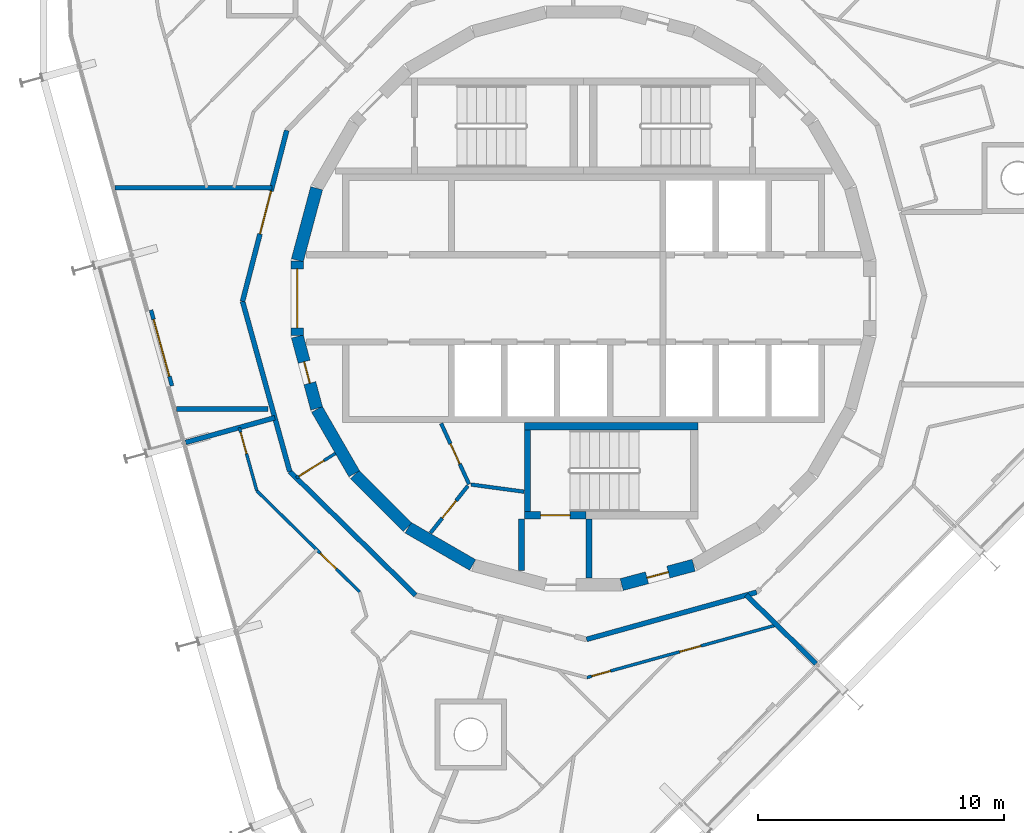
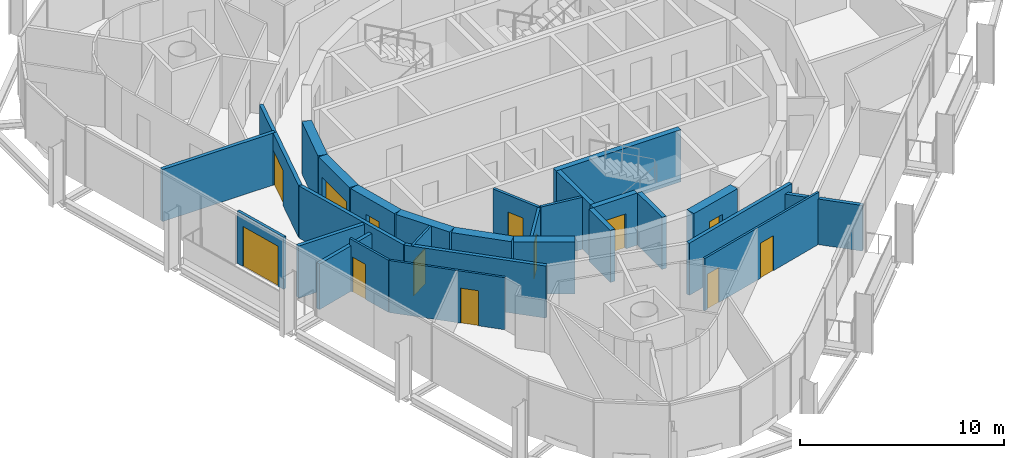
# One storey, part 10 of 15: 28 walls, 13 doors, 13 openings.
"""IFC4 building model written with IfcOpenShell, lengths in metres."""

from ifc_helpers import new_model, si_unit, direction, frame, frame_2d, origin, place, context, subcontext, project, spatial, rectangle, extrude, material, layer, layer_set, type_object, element, fill, save


model = new_model("IFC4")

# Units and contexts
model_context = context("Model", 3, precision=1e-05, world=origin(), true_north=direction((0.0, 1.0)))
body_context = subcontext(model_context, "Body", "Model", "MODEL_VIEW")
ifc_project = project(units=[si_unit("LENGTHUNIT", "METRE"), si_unit("AREAUNIT", "SQUARE_METRE"), si_unit("VOLUMEUNIT", "CUBIC_METRE"), si_unit("PLANEANGLEUNIT", "RADIAN"), si_unit("MASSUNIT", "GRAM", prefix="KILO")], contexts=[model_context])

# Site, building, storey
site_placement = place(None, origin())
site = spatial("IfcSite", under=ifc_project, at=site_placement, CompositionType="ELEMENT")
building_placement = place(site_placement, origin())
building = spatial("IfcBuilding", under=site, at=building_placement, Name="Spindle Arch Residences", CompositionType="ELEMENT")
storey_placement = place(building_placement, frame((0.0, 0.0, 319.199951171875)))
storey = spatial("IfcBuildingStorey", under=building, at=storey_placement, Name="L82", CompositionType="ELEMENT", Elevation=319.199951171875)

# Wall, opening, door
ifc_material_1 = material(Name="Concrete C50/60", Category="concrete")
ifc_layer_1 = layer(ifc_material_1, 0.5)
ifc_layer_set_1 = layer_set([ifc_layer_1], Name="Core outline wall 500")
wall_type_1 = type_object("IfcWallType", Name="Core outline wall 500", PredefinedType="SHEAR", material=ifc_layer_set_1)
wall_1_placement = place(storey_placement, frame((1.5498046875, -11.642822265625, 0.0), z_axis=(0.0, 0.0, 1.0), x_axis=(0.965948410781, 0.258734743916, 0.0)))
wall_1 = element("IfcWall", 1, at=wall_1_placement, inside=storey, type_object=wall_type_1, Name="Core outline wall 1", PredefinedType="SHEAR", context=body_context, shape_type="SweptSolid", body=[
    extrude(rectangle(XDim=3.03271484375, YDim=0.5, at=frame_2d((1.516357421875, 0.0))), origin(), (0.0, 0.0, 1.0), 3.1201171875),
])
opening_1_placement = place(wall_1_placement, frame((1.06640625, 0.0, 0.0)))
opening_1 = element("IfcOpeningElement", 2, at=opening_1_placement, cuts=wall_1, Name="Opening R8C0-WD09", PredefinedType="OPENING", context=body_context, shape_type="SweptSolid", body=[
    extrude(rectangle(XDim=0.89990234375, YDim=2.10009765625, at=frame_2d((0.449951171875, 1.050048828125))), frame((0.0, 0.260009765625, 0.0), z_axis=(0.0, -1.0, 0.0), x_axis=(1.0, 0.0, 0.0)), (0.0, 0.0, 1.0), 0.52001953125),
])
ifc_material_2 = material(Name="Steel, fire-resisting door", Category="steel")
door_type_1 = type_object("IfcDoorType", Name="Service room door 900x2100", OperationType="SINGLE_SWING_LEFT", PredefinedType="DOOR", material=ifc_material_2)
door_1_placement = place(opening_1_placement, origin())
door_1 = element("IfcDoor", 3, at=door_1_placement, inside=storey, type_object=door_type_1, Name="Service room door R8C0-WD09", OperationType="SINGLE_SWING_LEFT", OverallHeight=2.10009765625, OverallWidth=0.89990234375, PredefinedType="DOOR", context=body_context, shape_type="SweptSolid", body=[
    extrude(rectangle(XDim=0.89990234375, YDim=2.10009765625, at=frame_2d((0.449951171875, 1.050048828125))), frame((0.0, 0.02490234375, 0.0), z_axis=(0.0, -1.0, 0.0), x_axis=(1.0, 0.0, 0.0)), (0.0, 0.0, 1.0), 0.050048828125),
])
fill(opening_1, door_1)

# Wall
wall_2_placement = place(storey_placement, frame((-10.858154296875, 4.479248046875, 0.0), z_axis=(0.0, 0.0, 1.0), x_axis=(-0.258734743916, -0.965948410781, 0.0)))
element("IfcWall", 4, at=wall_2_placement, inside=storey, type_object=wall_type_1, Name="Core outline wall 17", PredefinedType="SHEAR", context=body_context, shape_type="SweptSolid", body=[
    extrude(rectangle(XDim=3.03271484375, YDim=0.5, at=frame_2d((1.516357421875, 0.0))), origin(), (0.0, 0.0, 1.0), 3.1201171875),
])

# Wall, opening, door
wall_3_placement = place(storey_placement, frame((-11.647216796875, 1.516357421875, 0.0), z_axis=(0.0, 0.0, 1.0), x_axis=(0.0, -1.0, 0.0)))
wall_3 = element("IfcWall", 5, at=wall_3_placement, inside=storey, type_object=wall_type_1, Name="Core outline wall 18", PredefinedType="SHEAR", context=body_context, shape_type="SweptSolid", body=[
    extrude(rectangle(XDim=3.03271484375, YDim=0.5, at=frame_2d((1.516357421875, 0.0))), origin(), (0.0, 0.0, 1.0), 3.1201171875),
])
opening_2_placement = place(wall_3_placement, frame((0.31640625, 0.0, 0.0)))
opening_2 = element("IfcOpeningElement", 6, at=opening_2_placement, cuts=wall_3, Name="Opening R8C0-LE01", PredefinedType="OPENING", context=body_context, shape_type="SweptSolid", body=[
    extrude(rectangle(XDim=2.39990234375, YDim=2.10009765625, at=frame_2d((1.199951171875, 1.050048828125))), frame((0.0, 0.260009765625, 0.0), z_axis=(0.0, -1.0, 0.0), x_axis=(1.0, 0.0, 0.0)), (0.0, 0.0, 1.0), 0.52001953125),
])
ifc_material_3 = material(Name="Steel, fire-resisting door", Category="steel")
door_type_2 = type_object("IfcDoorType", Name="Lift lobby entrance door 2400x2100", OperationType="DOUBLE_DOOR_SINGLE_SWING", PredefinedType="DOOR", material=ifc_material_3)
door_2_placement = place(opening_2_placement, origin())
door_2 = element("IfcDoor", 7, at=door_2_placement, inside=storey, type_object=door_type_2, Name="Lift lobby entrance door R8C0-LE01", OperationType="DOUBLE_DOOR_SINGLE_SWING", OverallHeight=2.10009765625, OverallWidth=2.39990234375, PredefinedType="DOOR", context=body_context, shape_type="SweptSolid", body=[
    extrude(rectangle(XDim=2.39990234375, YDim=2.10009765625, at=frame_2d((1.199951171875, 1.050048828125))), frame((0.0, 0.02490234375, 0.0), z_axis=(0.0, -1.0, 0.0), x_axis=(1.0, 0.0, 0.0)), (0.0, 0.0, 1.0), 0.050048828125),
])
fill(opening_2, door_2)

wall_4_placement = place(storey_placement, frame((-11.642822265625, -1.5498046875, 0.0), z_axis=(0.0, 0.0, 1.0), x_axis=(0.258734743916, -0.965948410781, 0.0)))
wall_4 = element("IfcWall", 8, at=wall_4_placement, inside=storey, type_object=wall_type_1, Name="Core outline wall 19", PredefinedType="SHEAR", context=body_context, shape_type="SweptSolid", body=[
    extrude(rectangle(XDim=3.03271484375, YDim=0.5, at=frame_2d((1.516357421875, 0.0))), origin(), (0.0, 0.0, 1.0), 3.1201171875),
])
opening_3_placement = place(wall_4_placement, frame((1.06640625, 0.0, 0.0)))
opening_3 = element("IfcOpeningElement", 9, at=opening_3_placement, cuts=wall_4, Name="Opening R8C0-WD10", PredefinedType="OPENING", context=body_context, shape_type="SweptSolid", body=[
    extrude(rectangle(XDim=0.89990234375, YDim=2.10009765625, at=frame_2d((0.449951171875, 1.050048828125))), frame((0.0, 0.260009765625, 0.0), z_axis=(0.0, -1.0, 0.0), x_axis=(1.0, 0.0, 0.0)), (0.0, 0.0, 1.0), 0.52001953125),
])
door_3_placement = place(opening_3_placement, origin())
door_3 = element("IfcDoor", 10, at=door_3_placement, inside=storey, type_object=door_type_1, Name="Service room door R8C0-WD10", OperationType="SINGLE_SWING_RIGHT", OverallHeight=2.10009765625, OverallWidth=0.89990234375, PredefinedType="DOOR", context=body_context, shape_type="SweptSolid", body=[
    extrude(rectangle(XDim=0.89990234375, YDim=2.10009765625, at=frame_2d((0.449951171875, 1.050048828125))), frame((0.0, 0.02490234375, 0.0), z_axis=(0.0, -1.0, 0.0), x_axis=(1.0, 0.0, 0.0)), (0.0, 0.0, 1.0), 0.050048828125),
])
fill(opening_3, door_3)

# Walls
wall_5_placement = place(storey_placement, frame((-10.84521484375, -4.510498046875, 0.0), z_axis=(0.0, 0.0, 1.0), x_axis=(0.500087131594, -0.865975092491, 0.0)))
element("IfcWall", 11, at=wall_5_placement, inside=storey, type_object=wall_type_1, Name="Core outline wall 20", PredefinedType="SHEAR", context=body_context, shape_type="SweptSolid", body=[
    extrude(rectangle(XDim=3.03271484375, YDim=0.5, at=frame_2d((1.516357421875, 0.0))), origin(), (0.0, 0.0, 1.0), 3.1201171875),
])
wall_6_placement = place(storey_placement, frame((-9.30810546875, -7.163818359375, 0.0), z_axis=(0.0, 0.0, 1.0), x_axis=(0.707106781187, -0.707106781187, 0.0)))
element("IfcWall", 12, at=wall_6_placement, inside=storey, type_object=wall_type_1, Name="Core outline wall 21", PredefinedType="SHEAR", context=body_context, shape_type="SweptSolid", body=[
    extrude(rectangle(XDim=3.032470703125, YDim=0.5, at=frame_2d((1.51611328125, 0.0))), origin(), (0.0, 0.0, 1.0), 3.1201171875),
])
wall_7_placement = place(storey_placement, frame((-7.13671875, -9.32861328125, 0.0), z_axis=(0.0, 0.0, 1.0), x_axis=(0.865975092491, -0.500087131594, 0.0)))
element("IfcWall", 13, at=wall_7_placement, inside=storey, type_object=wall_type_1, Name="Core outline wall 22", PredefinedType="SHEAR", context=body_context, shape_type="SweptSolid", body=[
    extrude(rectangle(XDim=3.03271484375, YDim=0.5, at=frame_2d((1.516357421875, 0.0))), origin(), (0.0, 0.0, 1.0), 3.1201171875),
])

# Wall, opening, door
ifc_material_4 = material(Name="Plasterboard on steel studs", Category="steel")
ifc_layer_2 = layer(ifc_material_4, 0.1201171875)
ifc_layer_set_2 = layer_set([ifc_layer_2], Name="Corridor division wall 120")
wall_type_2 = type_object("IfcWallType", Name="Corridor division wall 120", PredefinedType="PARTITIONING", material=ifc_layer_set_2)
wall_8_placement = place(storey_placement, frame((-11.686767578125, -7.302734375, 0.0), z_axis=(0.0, 0.0, 1.0), x_axis=(0.848064094072, 0.529893661357, 0.0)))
wall_8 = element("IfcWall", 14, at=wall_8_placement, inside=storey, type_object=wall_type_2, Name="Corridor division wall R8C0-W003", PredefinedType="PARTITIONING", context=body_context, shape_type="SweptSolid", body=[
    extrude(rectangle(XDim=1.876220703125, YDim=0.1201171875, at=frame_2d((0.93798828125, 0.0))), origin(), (0.0, 0.0, 1.0), 3.1201171875),
])
opening_4_placement = place(wall_8_placement, frame((0.125, 0.0, 0.0)))
opening_4 = element("IfcOpeningElement", 15, at=opening_4_placement, cuts=wall_8, Name="Opening R8C0-CD03", PredefinedType="OPENING", context=body_context, shape_type="SweptSolid", body=[
    extrude(rectangle(XDim=1.199951171875, YDim=2.10009765625, at=frame_2d((0.60009765625, 1.050048828125))), frame((0.0, 0.070068359375, 0.0), z_axis=(0.0, -1.0, 0.0), x_axis=(1.0, 0.0, 0.0)), (0.0, 0.0, 1.0), 0.14013671875),
])
ifc_material_5 = material(Name="Steel, fire-resisting door", Category="steel")
door_type_3 = type_object("IfcDoorType", Name="Corridor division door 1200x2100", OperationType="NOTDEFINED", PredefinedType="DOOR", material=ifc_material_5)
door_4_placement = place(opening_4_placement, origin())
door_4 = element("IfcDoor", 16, at=door_4_placement, inside=storey, type_object=door_type_3, Name="Corridor division door R8C0-CD03", OperationType="DOUBLE_DOOR_SINGLE_SWING", OverallHeight=2.10009765625, OverallWidth=1.199951171875, PredefinedType="DOOR", context=body_context, shape_type="SweptSolid", body=[
    extrude(rectangle(XDim=1.199951171875, YDim=2.10009765625, at=frame_2d((0.60009765625, 1.050048828125))), frame((0.0, 0.02490234375, 0.0), z_axis=(0.0, -1.0, 0.0), x_axis=(1.0, 0.0, 0.0)), (0.0, 0.0, 1.0), 0.050048828125),
])
fill(opening_4, door_4)

# Walls
ifc_material_6 = material(Name="Calcium silicate block, plastered")
ifc_layer_3 = layer(ifc_material_6, 0.199951171875)
ifc_layer_set_3 = layer_set([ifc_layer_3], Name="Corridor wall 200")
wall_type_3 = type_object("IfcWallType", Name="Corridor wall 200", PredefinedType="STANDARD", material=ifc_layer_set_3)
wall_9_placement = place(storey_placement, frame((-11.953125, -7.041015625, 0.0), z_axis=(0.0, 0.0, 1.0), x_axis=(0.713250549143, -0.70090916255, 0.0)))
element("IfcWall", 17, at=wall_9_placement, inside=storey, type_object=wall_type_3, Name="Corridor wall R8C0-W013", PredefinedType="STANDARD", context=body_context, shape_type="SweptSolid", body=[
    extrude(rectangle(XDim=7.180908203125, YDim=0.199951171875, at=frame_2d((3.59033203125, 0.0))), origin(), (0.0, 0.0, 1.0), 3.1201171875),
])
wall_10_placement = place(storey_placement, frame((0.12109375, -13.872314453125, 0.0), z_axis=(0.0, 0.0, 1.0), x_axis=(0.963625960674, 0.267254575108, 0.0)))
element("IfcWall", 18, at=wall_10_placement, inside=storey, type_object=wall_type_3, Name="Corridor wall R8C0-W015", PredefinedType="STANDARD", context=body_context, shape_type="SweptSolid", body=[
    extrude(rectangle(XDim=7.18115234375, YDim=0.199951171875, at=frame_2d((3.590576171875, 0.0))), origin(), (0.0, 0.0, 1.0), 3.1201171875),
])

# Wall, opening, door
ifc_material_7 = material(Name="Plasterboard on steel studs", Category="steel")
ifc_layer_4 = layer(ifc_material_7, 0.1201171875)
ifc_layer_set_4 = layer_set([ifc_layer_4], Name="Flat partition 120")
wall_type_4 = type_object("IfcWallType", Name="Flat partition 120", PredefinedType="PARTITIONING", material=ifc_layer_set_4)
wall_11_placement = place(storey_placement, frame((-14.004638671875, -5.25634765625, 0.0), z_axis=(0.0, 0.0, 1.0), x_axis=(0.267200500487, -0.963640956238, 0.0)))
wall_11 = element("IfcWall", 19, at=wall_11_placement, inside=storey, type_object=wall_type_4, Name="Flat partition R8C0-W067", PredefinedType="PARTITIONING", context=body_context, shape_type="SweptSolid", body=[
    extrude(rectangle(XDim=2.669921875, YDim=0.1201171875, at=frame_2d((1.3349609375, 0.0))), origin(), (0.0, 0.0, 1.0), 3.1201171875),
])
opening_5_placement = place(wall_11_placement, frame((0.199951171875, 0.0, 0.0)))
opening_5 = element("IfcOpeningElement", 20, at=opening_5_placement, cuts=wall_11, Name="Opening R8C0-ID13", PredefinedType="OPENING", context=body_context, shape_type="SweptSolid", body=[
    extrude(rectangle(XDim=0.89990234375, YDim=2.10009765625, at=frame_2d((0.449951171875, 1.050048828125))), frame((0.0, 0.070068359375, 0.0), z_axis=(0.0, -1.0, 0.0), x_axis=(1.0, 0.0, 0.0)), (0.0, 0.0, 1.0), 0.14013671875),
])
ifc_material_8 = material(Name="Timber door set", Category="wood")
door_type_4 = type_object("IfcDoorType", Name="Room door 900x2100", OperationType="NOTDEFINED", PredefinedType="DOOR", material=ifc_material_8)
door_5_placement = place(opening_5_placement, origin())
door_5 = element("IfcDoor", 21, at=door_5_placement, inside=storey, type_object=door_type_4, Name="Room door R8C0-ID13", OperationType="SINGLE_SWING_RIGHT", OverallHeight=2.10009765625, OverallWidth=0.89990234375, PredefinedType="DOOR", context=body_context, shape_type="SweptSolid", body=[
    extrude(rectangle(XDim=0.89990234375, YDim=2.10009765625, at=frame_2d((0.449951171875, 1.050048828125))), frame((0.0, 0.02490234375, 0.0), z_axis=(0.0, -1.0, 0.0), x_axis=(1.0, 0.0, 0.0)), (0.0, 0.0, 1.0), 0.050048828125),
])
fill(opening_5, door_5)

wall_12_placement = place(storey_placement, frame((-13.291259765625, -7.8291015625, 0.0), z_axis=(0.0, 0.0, 1.0), x_axis=(0.713255094589, -0.700904537039, 0.0)))
wall_12 = element("IfcWall", 22, at=wall_12_placement, inside=storey, type_object=wall_type_4, Name="Flat partition R8C0-W068", PredefinedType="PARTITIONING", context=body_context, shape_type="SweptSolid", body=[
    extrude(rectangle(XDim=5.870849609375, YDim=0.1201171875, at=frame_2d((2.935546875, 0.0))), origin(), (0.0, 0.0, 1.0), 3.1201171875),
])
opening_6_placement = place(wall_12_placement, frame((3.62744140625, 0.0, 0.0)))
opening_6 = element("IfcOpeningElement", 23, at=opening_6_placement, cuts=wall_12, Name="Opening R8C0-ID14", PredefinedType="OPENING", context=body_context, shape_type="SweptSolid", body=[
    extrude(rectangle(XDim=0.89990234375, YDim=2.10009765625, at=frame_2d((0.449951171875, 1.050048828125))), frame((0.0, 0.070068359375, 0.0), z_axis=(0.0, -1.0, 0.0), x_axis=(1.0, 0.0, 0.0)), (0.0, 0.0, 1.0), 0.14013671875),
])
door_6_placement = place(opening_6_placement, origin())
door_6 = element("IfcDoor", 24, at=door_6_placement, inside=storey, type_object=door_type_4, Name="Room door R8C0-ID14", OperationType="SINGLE_SWING_RIGHT", OverallHeight=2.10009765625, OverallWidth=0.89990234375, PredefinedType="DOOR", context=body_context, shape_type="SweptSolid", body=[
    extrude(rectangle(XDim=0.89990234375, YDim=2.10009765625, at=frame_2d((0.449951171875, 1.050048828125))), frame((0.0, 0.02490234375, 0.0), z_axis=(0.0, -1.0, 0.0), x_axis=(1.0, 0.0, 0.0)), (0.0, 0.0, 1.0), 0.050048828125),
])
fill(opening_6, door_6)

# Wall, openings, doors
wall_13_placement = place(storey_placement, frame((0.134521484375, -15.425048828125, 0.0), z_axis=(0.0, 0.0, 1.0), x_axis=(0.963633899075, 0.267225950373, 0.0)))
wall_13 = element("IfcWall", 25, at=wall_13_placement, inside=storey, type_object=wall_type_4, Name="Flat partition R8C0-W082", PredefinedType="PARTITIONING", context=body_context, shape_type="SweptSolid", body=[
    extrude(rectangle(XDim=7.98486328125, YDim=0.1201171875, at=frame_2d((3.992431640625, 0.0))), origin(), (0.0, 0.0, 1.0), 3.1201171875),
])
opening_7_placement = place(wall_13_placement, frame((0.199951171875, 0.0, 0.0)))
opening_7 = element("IfcOpeningElement", 26, at=opening_7_placement, cuts=wall_13, Name="Opening R8C0-BD05", PredefinedType="OPENING", context=body_context, shape_type="SweptSolid", body=[
    extrude(rectangle(XDim=0.800048828125, YDim=2.10009765625, at=frame_2d((0.39990234375, 1.050048828125))), frame((0.0, 0.070068359375, 0.0), z_axis=(0.0, -1.0, 0.0), x_axis=(1.0, 0.0, 0.0)), (0.0, 0.0, 1.0), 0.14013671875),
])
opening_8_placement = place(wall_13_placement, frame((3.9140625, 0.0, 0.0)))
opening_8 = element("IfcOpeningElement", 27, at=opening_8_placement, cuts=wall_13, Name="Opening R8C0-ID18", PredefinedType="OPENING", context=body_context, shape_type="SweptSolid", body=[
    extrude(rectangle(XDim=0.89990234375, YDim=2.10009765625, at=frame_2d((0.449951171875, 1.050048828125))), frame((0.0, 0.070068359375, 0.0), z_axis=(0.0, -1.0, 0.0), x_axis=(1.0, 0.0, 0.0)), (0.0, 0.0, 1.0), 0.14013671875),
])
ifc_material_9 = material(Name="Timber door set", Category="wood")
door_type_5 = type_object("IfcDoorType", Name="Bathroom door 800x2100", OperationType="NOTDEFINED", PredefinedType="DOOR", material=ifc_material_9)
door_7_placement = place(opening_7_placement, origin())
door_7 = element("IfcDoor", 28, at=door_7_placement, inside=storey, type_object=door_type_5, Name="Bathroom door R8C0-BD05", OperationType="SINGLE_SWING_LEFT", OverallHeight=2.10009765625, OverallWidth=0.800048828125, PredefinedType="DOOR", context=body_context, shape_type="SweptSolid", body=[
    extrude(rectangle(XDim=0.800048828125, YDim=2.10009765625, at=frame_2d((0.39990234375, 1.050048828125))), frame((0.0, 0.02490234375, 0.0), z_axis=(0.0, -1.0, 0.0), x_axis=(1.0, 0.0, 0.0)), (0.0, 0.0, 1.0), 0.050048828125),
])
fill(opening_7, door_7)
door_8_placement = place(opening_8_placement, origin())
door_8 = element("IfcDoor", 29, at=door_8_placement, inside=storey, type_object=door_type_4, Name="Room door R8C0-ID18", OperationType="SINGLE_SWING_LEFT", OverallHeight=2.10009765625, OverallWidth=0.89990234375, PredefinedType="DOOR", context=body_context, shape_type="SweptSolid", body=[
    extrude(rectangle(XDim=0.89990234375, YDim=2.10009765625, at=frame_2d((0.449951171875, 1.050048828125))), frame((0.0, 0.02490234375, 0.0), z_axis=(0.0, -1.0, 0.0), x_axis=(1.0, 0.0, 0.0)), (0.0, 0.0, 1.0), 0.050048828125),
])
fill(opening_8, door_8)

# Walls
ifc_material_10 = material(Name="Calcium silicate block, plastered")
ifc_layer_5 = layer(ifc_material_10, 0.199951171875)
ifc_layer_set_5 = layer_set([ifc_layer_5], Name="Flat party wall 200 under beam 2730")
wall_type_5 = type_object("IfcWallType", Name="Flat party wall 200 under beam 2730", PredefinedType="STANDARD", material=ifc_layer_set_5)
wall_14_placement = place(storey_placement, frame((-16.18701171875, -5.861572265625, 0.0), z_axis=(0.0, 0.0, 1.0), x_axis=(0.963631166683, 0.267235803358, 0.0)))
element("IfcWall", 30, at=wall_14_placement, inside=storey, type_object=wall_type_5, Name="Flat party wall R8C0-W026", PredefinedType="STANDARD", context=body_context, shape_type="SweptSolid", body=[
    extrude(rectangle(XDim=3.764892578125, YDim=0.199951171875, at=frame_2d((1.88232421875, 0.0))), origin(), (0.0, 0.0, 1.0), 2.72998046875),
])
wall_15_placement = place(storey_placement, frame((9.4619140625, -14.860595703125, 0.0), z_axis=(0.0, 0.0, 1.0), x_axis=(-0.713302018318, 0.700856783276, 0.0)))
element("IfcWall", 31, at=wall_15_placement, inside=storey, type_object=wall_type_5, Name="Flat party wall R8C0-W029", PredefinedType="STANDARD", context=body_context, shape_type="SweptSolid", body=[
    extrude(rectangle(XDim=3.982177734375, YDim=0.199951171875, at=frame_2d((1.9912109375, 0.0))), origin(), (0.0, 0.0, 1.0), 2.72998046875),
])

# Wall, opening, door
ifc_material_11 = material(Name="Non-combustible mineral wool insulated aluminium faced external wall (K0)", Category="aluminium")
ifc_layer_6 = layer(ifc_material_11, 0.159912109375)
ifc_layer_set_6 = layer_set([ifc_layer_6], Name="Insulated external wall panel 160")
wall_type_6 = type_object("IfcWallType", Name="Insulated external wall panel 160", PredefinedType="STANDARD", material=ifc_layer_set_6)
wall_16_placement = place(storey_placement, frame((-17.59765625, -0.47509765625, 0.0), z_axis=(0.0, 0.0, 1.0), x_axis=(0.267266077957, -0.963622770369, 0.0)))
wall_16 = element("IfcWall", 32, at=wall_16_placement, inside=storey, type_object=wall_type_6, Name="External wall L82 bay 13", PredefinedType="STANDARD", context=body_context, shape_type="SweptSolid", body=[
    extrude(rectangle(XDim=3.199951171875, YDim=0.159912109375, at=frame_2d((1.60009765625, 0.0))), origin(), (0.0, 0.0, 1.0), 3.1201171875),
])
opening_9_placement = place(wall_16_placement, frame((0.39990234375, 0.0, 0.0)))
opening_9 = element("IfcOpeningElement", 33, at=opening_9_placement, cuts=wall_16, Name="Opening BD13", PredefinedType="OPENING", context=body_context, shape_type="SweptSolid", body=[
    extrude(rectangle(XDim=2.39990234375, YDim=2.39990234375, at=frame_2d((1.199951171875, 1.199951171875))), frame((0.0, 0.08984375, 0.0), z_axis=(0.0, -1.0, 0.0), x_axis=(1.0, 0.0, 0.0)), (0.0, 0.0, 1.0), 0.179931640625),
])
ifc_material_12 = material(Name="Bronze aluminium frame, tinted double glazing", Category="aluminium")
door_type_6 = type_object("IfcDoorType", Name="Sliding glazed balcony door 2400x2400", OperationType="DOUBLE_DOOR_SLIDING", PredefinedType="DOOR", material=ifc_material_12)
door_9_placement = place(opening_9_placement, origin())
door_9 = element("IfcDoor", 34, at=door_9_placement, inside=storey, type_object=door_type_6, Name="Balcony door BD13", OperationType="DOUBLE_DOOR_SLIDING", OverallHeight=2.39990234375, OverallWidth=2.39990234375, PredefinedType="DOOR", context=body_context, shape_type="SweptSolid", body=[
    extrude(rectangle(XDim=2.39990234375, YDim=2.39990234375, at=frame_2d((1.199951171875, 1.199951171875))), frame((0.0, 0.02490234375, 0.0), z_axis=(0.0, -1.0, 0.0), x_axis=(1.0, 0.0, 0.0)), (0.0, 0.0, 1.0), 0.050048828125),
])
fill(opening_9, door_9)

ifc_material_13 = material(Name="Calcium silicate block, plastered")
ifc_layer_7 = layer(ifc_material_13, 0.199951171875)
ifc_layer_set_7 = layer_set([ifc_layer_7], Name="Lift lobby bay wall 200")
wall_type_7 = type_object("IfcWallType", Name="Lift lobby bay wall 200", PredefinedType="STANDARD", material=ifc_layer_set_7)
wall_17_placement = place(storey_placement, frame((-12.07421875, 6.831298828125, 0.0), z_axis=(0.0, 0.0, 1.0), x_axis=(-0.250391063186, -0.968144780225, 0.0)))
wall_17 = element("IfcWall", 35, at=wall_17_placement, inside=storey, type_object=wall_type_7, Name="Lift lobby bay wall R8C0-W010", PredefinedType="STANDARD", context=body_context, shape_type="SweptSolid", body=[
    extrude(rectangle(XDim=7.18115234375, YDim=0.199951171875, at=frame_2d((3.590576171875, 0.0))), origin(), (0.0, 0.0, 1.0), 3.1201171875),
])
opening_10_placement = place(wall_17_placement, frame((2.5478515625, 0.0, 0.0)))
opening_10 = element("IfcOpeningElement", 36, at=opening_10_placement, cuts=wall_17, Name="Opening R8C0-LB01", PredefinedType="OPENING", context=body_context, shape_type="SweptSolid", body=[
    extrude(rectangle(XDim=1.800048828125, YDim=2.10009765625, at=frame_2d((0.89990234375, 1.050048828125))), frame((0.0, 0.10986328125, 0.0), z_axis=(0.0, -1.0, 0.0), x_axis=(1.0, 0.0, 0.0)), (0.0, 0.0, 1.0), 0.219970703125),
])
ifc_material_14 = material(Name="Steel, fire-resisting door", Category="steel")
door_type_7 = type_object("IfcDoorType", Name="Lift lobby bay door 1800x2100", OperationType="NOTDEFINED", PredefinedType="DOOR", material=ifc_material_14)
door_10_placement = place(opening_10_placement, origin())
door_10 = element("IfcDoor", 37, at=door_10_placement, inside=storey, type_object=door_type_7, Name="Lift lobby bay door R8C0-LB01", OperationType="DOUBLE_DOOR_SINGLE_SWING", OverallHeight=2.10009765625, OverallWidth=1.800048828125, PredefinedType="DOOR", context=body_context, shape_type="SweptSolid", body=[
    extrude(rectangle(XDim=1.800048828125, YDim=2.10009765625, at=frame_2d((0.89990234375, 1.050048828125))), frame((0.0, 0.02490234375, 0.0), z_axis=(0.0, -1.0, 0.0), x_axis=(1.0, 0.0, 0.0)), (0.0, 0.0, 1.0), 0.050048828125),
])
fill(opening_10, door_10)

# Walls
wall_18_placement = place(storey_placement, frame((-13.872314453125, -0.12109375, 0.0), z_axis=(0.0, 0.0, 1.0), x_axis=(0.267254575108, -0.963625960674, 0.0)))
element("IfcWall", 38, at=wall_18_placement, inside=storey, type_object=wall_type_7, Name="Lift lobby bay wall R8C0-W011", PredefinedType="STANDARD", context=body_context, shape_type="SweptSolid", body=[
    extrude(rectangle(XDim=7.18115234375, YDim=0.199951171875, at=frame_2d((3.590576171875, 0.0))), origin(), (0.0, 0.0, 1.0), 3.1201171875),
])
wall_19_placement = place(storey_placement, frame((-12.677001953125, 4.5, 0.0), z_axis=(0.0, 0.0, 1.0), x_axis=(-1.0, 0.0, 0.0)))
element("IfcWall", 39, at=wall_19_placement, inside=storey, type_object=wall_type_7, Name="Lift lobby bay wall R8C0-W017", PredefinedType="STANDARD", context=body_context, shape_type="SweptSolid", body=[
    extrude(rectangle(XDim=6.38330078125, YDim=0.199951171875, at=frame_2d((3.191650390625, 0.0))), origin(), (0.0, 0.0, 1.0), 3.1201171875),
])
wall_20_placement = place(storey_placement, frame((-16.564453125, -4.5, 0.0), z_axis=(0.0, 0.0, 1.0), x_axis=(1.0, 0.0, 0.0)))
element("IfcWall", 40, at=wall_20_placement, inside=storey, type_object=wall_type_7, Name="Lift lobby bay wall R8C0-W018", PredefinedType="STANDARD", context=body_context, shape_type="SweptSolid", body=[
    extrude(rectangle(XDim=3.73583984375, YDim=0.199951171875, at=frame_2d((1.867919921875, 0.0))), origin(), (0.0, 0.0, 1.0), 3.1201171875),
])

# Wall, opening, door
ifc_material_15 = material(Name="Concrete C25/30", Category="concrete")
ifc_layer_8 = layer(ifc_material_15, 0.14990234375)
ifc_layer_set_8 = layer_set([ifc_layer_8], Name="Service room partition 150")
wall_type_8 = type_object("IfcWallType", Name="Service room partition 150", PredefinedType="PARTITIONING", material=ifc_layer_set_8)
wall_21_placement = place(storey_placement, frame((-5.794921875, -5.086181640625, 0.0), z_axis=(0.0, 0.0, 1.0), x_axis=(0.417887867606, -0.908498613157, 0.0)))
wall_21 = element("IfcWall", 41, at=wall_21_placement, inside=storey, type_object=wall_type_8, Name="Core service room partition", PredefinedType="PARTITIONING", context=body_context, shape_type="SweptSolid", body=[
    extrude(rectangle(XDim=2.72607421875, YDim=0.14990234375, at=frame_2d((1.363037109375, 0.0))), origin(), (0.0, 0.0, 1.0), 3.1201171875),
])
opening_11_placement = place(wall_21_placement, frame((0.912841796875, 0.0, 0.0)))
opening_11 = element("IfcOpeningElement", 42, at=opening_11_placement, cuts=wall_21, Name="Opening R8C0-WD06", PredefinedType="OPENING", context=body_context, shape_type="SweptSolid", body=[
    extrude(rectangle(XDim=0.89990234375, YDim=2.10009765625, at=frame_2d((0.449951171875, 1.050048828125))), frame((0.0, 0.0849609375, 0.0), z_axis=(0.0, -1.0, 0.0), x_axis=(1.0, 0.0, 0.0)), (0.0, 0.0, 1.0), 0.169921875),
])
door_11_placement = place(opening_11_placement, origin())
door_11 = element("IfcDoor", 43, at=door_11_placement, inside=storey, type_object=door_type_1, Name="Service room door R8C0-WD06", OperationType="SINGLE_SWING_RIGHT", OverallHeight=2.10009765625, OverallWidth=0.89990234375, PredefinedType="DOOR", context=body_context, shape_type="SweptSolid", body=[
    extrude(rectangle(XDim=0.89990234375, YDim=2.10009765625, at=frame_2d((0.449951171875, 1.050048828125))), frame((0.0, 0.02490234375, 0.0), z_axis=(0.0, -1.0, 0.0), x_axis=(1.0, 0.0, 0.0)), (0.0, 0.0, 1.0), 0.050048828125),
])
fill(opening_11, door_11)

wall_22_placement = place(storey_placement, frame((-4.70556640625, -7.62548828125, 0.0), z_axis=(0.0, 0.0, 1.0), x_axis=(-0.621392599334, -0.783499353856, 0.0)))
wall_22 = element("IfcWall", 44, at=wall_22_placement, inside=storey, type_object=wall_type_8, Name="Core service room partition", PredefinedType="PARTITIONING", context=body_context, shape_type="SweptSolid", body=[
    extrude(rectangle(XDim=2.447265625, YDim=0.14990234375, at=frame_2d((1.2236328125, 0.0))), origin(), (0.0, 0.0, 1.0), 3.1201171875),
])
opening_12_placement = place(wall_22_placement, frame((0.773681640625, 0.0, 0.0)))
opening_12 = element("IfcOpeningElement", 45, at=opening_12_placement, cuts=wall_22, Name="Opening R8C0-WD07", PredefinedType="OPENING", context=body_context, shape_type="SweptSolid", body=[
    extrude(rectangle(XDim=0.89990234375, YDim=2.10009765625, at=frame_2d((0.449951171875, 1.050048828125))), frame((0.0, 0.0849609375, 0.0), z_axis=(0.0, -1.0, 0.0), x_axis=(1.0, 0.0, 0.0)), (0.0, 0.0, 1.0), 0.169921875),
])
door_12_placement = place(opening_12_placement, origin())
door_12 = element("IfcDoor", 46, at=door_12_placement, inside=storey, type_object=door_type_1, Name="Service room door R8C0-WD07", OperationType="SINGLE_SWING_LEFT", OverallHeight=2.10009765625, OverallWidth=0.89990234375, PredefinedType="DOOR", context=body_context, shape_type="SweptSolid", body=[
    extrude(rectangle(XDim=0.89990234375, YDim=2.10009765625, at=frame_2d((0.449951171875, 1.050048828125))), frame((0.0, 0.02490234375, 0.0), z_axis=(0.0, -1.0, 0.0), x_axis=(1.0, 0.0, 0.0)), (0.0, 0.0, 1.0), 0.050048828125),
])
fill(opening_12, door_12)

# Walls
wall_23_placement = place(storey_placement, frame((-2.419921875, -7.865234375, 0.0), z_axis=(0.0, 0.0, 1.0), x_axis=(-0.990972299108, 0.134066783362, 0.0)))
element("IfcWall", 47, at=wall_23_placement, inside=storey, type_object=wall_type_8, Name="Core service room partition", PredefinedType="PARTITIONING", context=body_context, shape_type="SweptSolid", body=[
    extrude(rectangle(XDim=2.176025390625, YDim=0.14990234375, at=frame_2d((1.087890625, 0.0))), origin(), (0.0, 0.0, 1.0), 3.1201171875),
])
ifc_material_16 = material(Name="Concrete C40/50", Category="concrete")
ifc_layer_9 = layer(ifc_material_16, 0.25)
ifc_layer_set_9 = layer_set([ifc_layer_9], Name="Stair airlock wall 250")
wall_type_9 = type_object("IfcWallType", Name="Stair airlock wall 250", PredefinedType="SHEAR", material=ifc_layer_set_9)
wall_24_placement = place(storey_placement, frame((-2.52490234375, -8.969970703125, 0.0), z_axis=(0.0, 0.0, 1.0), x_axis=(0.0, -1.0, 0.0)))
element("IfcWall", 48, at=wall_24_placement, inside=storey, type_object=wall_type_9, Name="Stair ST-3 airlock wall W", PredefinedType="SHEAR", context=body_context, shape_type="SweptSolid", body=[
    extrude(rectangle(XDim=2.110107421875, YDim=0.25, at=frame_2d((1.05517578125, 0.0))), origin(), (0.0, 0.0, 1.0), 3.1201171875),
])
wall_25_placement = place(storey_placement, frame((0.22509765625, -8.969970703125, 0.0), z_axis=(0.0, 0.0, 1.0), x_axis=(0.0, -1.0, 0.0)))
element("IfcWall", 49, at=wall_25_placement, inside=storey, type_object=wall_type_9, Name="Stair ST-3 airlock wall E", PredefinedType="SHEAR", context=body_context, shape_type="SweptSolid", body=[
    extrude(rectangle(XDim=2.409912109375, YDim=0.25, at=frame_2d((1.205078125, 0.0))), origin(), (0.0, 0.0, 1.0), 3.1201171875),
])
ifc_material_17 = material(Name="Concrete C50/60", Category="concrete")
ifc_layer_10 = layer(ifc_material_17, 0.25)
ifc_layer_set_10 = layer_set([ifc_layer_10], Name="Stair enclosure wall 250")
wall_type_10 = type_object("IfcWallType", Name="Stair enclosure wall 250", PredefinedType="SHEAR", material=ifc_layer_set_10)
wall_26_placement = place(storey_placement, frame((-2.27490234375, -8.669921875, 0.0), z_axis=(0.0, 0.0, 1.0), x_axis=(0.0, 1.0, 0.0)))
element("IfcWall", 50, at=wall_26_placement, inside=storey, type_object=wall_type_10, Name="Stair ST-3 enclosure wall W", PredefinedType="SHEAR", context=body_context, shape_type="SweptSolid", body=[
    extrude(rectangle(XDim=3.31982421875, YDim=0.25, at=frame_2d((1.659912109375, 0.0))), origin(), (0.0, 0.0, 1.0), 3.1201171875),
])
ifc_material_18 = material(Name="Concrete C50/60", Category="concrete")
ifc_layer_11 = layer(ifc_material_18, 0.300048828125)
ifc_layer_set_11 = layer_set([ifc_layer_11], Name="Stair enclosure wall 300")
wall_type_11 = type_object("IfcWallType", Name="Stair enclosure wall 300", PredefinedType="SHEAR", material=ifc_layer_set_11)
wall_27_placement = place(storey_placement, frame((-2.39990234375, -5.199951171875, 0.0), z_axis=(0.0, 0.0, 1.0), x_axis=(1.0, 0.0, 0.0)))
element("IfcWall", 51, at=wall_27_placement, inside=storey, type_object=wall_type_11, Name="Stair ST-3 enclosure wall N", PredefinedType="SHEAR", context=body_context, shape_type="SweptSolid", body=[
    extrude(rectangle(XDim=7.0498046875, YDim=0.300048828125, at=frame_2d((3.52490234375, 0.0))), origin(), (0.0, 0.0, 1.0), 3.1201171875),
])

# Wall, opening, door
wall_28_placement = place(storey_placement, frame((-2.39990234375, -8.820068359375, 0.0), z_axis=(0.0, 0.0, 1.0), x_axis=(1.0, 0.0, 0.0)))
wall_28 = element("IfcWall", 52, at=wall_28_placement, inside=storey, type_object=wall_type_11, Name="Stair ST-3 door wall", PredefinedType="SHEAR", context=body_context, shape_type="SweptSolid", body=[
    extrude(rectangle(XDim=2.5, YDim=0.300048828125, at=frame_2d((1.25, 0.0))), origin(), (0.0, 0.0, 1.0), 3.1201171875),
])
opening_13_placement = place(wall_28_placement, frame((0.64990234375, 0.0, 0.0)))
opening_13 = element("IfcOpeningElement", 53, at=opening_13_placement, cuts=wall_28, Name="Opening R8C0-SD03", PredefinedType="OPENING", context=body_context, shape_type="SweptSolid", body=[
    extrude(rectangle(XDim=1.199951171875, YDim=2.10009765625, at=frame_2d((0.60009765625, 1.050048828125))), frame((0.0, 0.16015625, 0.0), z_axis=(0.0, -1.0, 0.0), x_axis=(1.0, 0.0, 0.0)), (0.0, 0.0, 1.0), 0.320068359375),
])
ifc_material_19 = material(Name="Steel, fire-resisting door", Category="steel")
door_type_8 = type_object("IfcDoorType", Name="Stair door 1200x2100", OperationType="SINGLE_SWING_RIGHT", PredefinedType="DOOR", material=ifc_material_19)
door_13_placement = place(opening_13_placement, origin())
door_13 = element("IfcDoor", 54, at=door_13_placement, inside=storey, type_object=door_type_8, Name="Stair door R8C0-SD03", OperationType="SINGLE_SWING_LEFT", OverallHeight=2.10009765625, OverallWidth=1.199951171875, PredefinedType="DOOR", context=body_context, shape_type="SweptSolid", body=[
    extrude(rectangle(XDim=1.199951171875, YDim=2.10009765625, at=frame_2d((0.60009765625, 1.050048828125))), frame((0.0, 0.02490234375, 0.0), z_axis=(0.0, -1.0, 0.0), x_axis=(1.0, 0.0, 0.0)), (0.0, 0.0, 1.0), 0.050048828125),
])
fill(opening_13, door_13)

save(model, "model.ifc")
